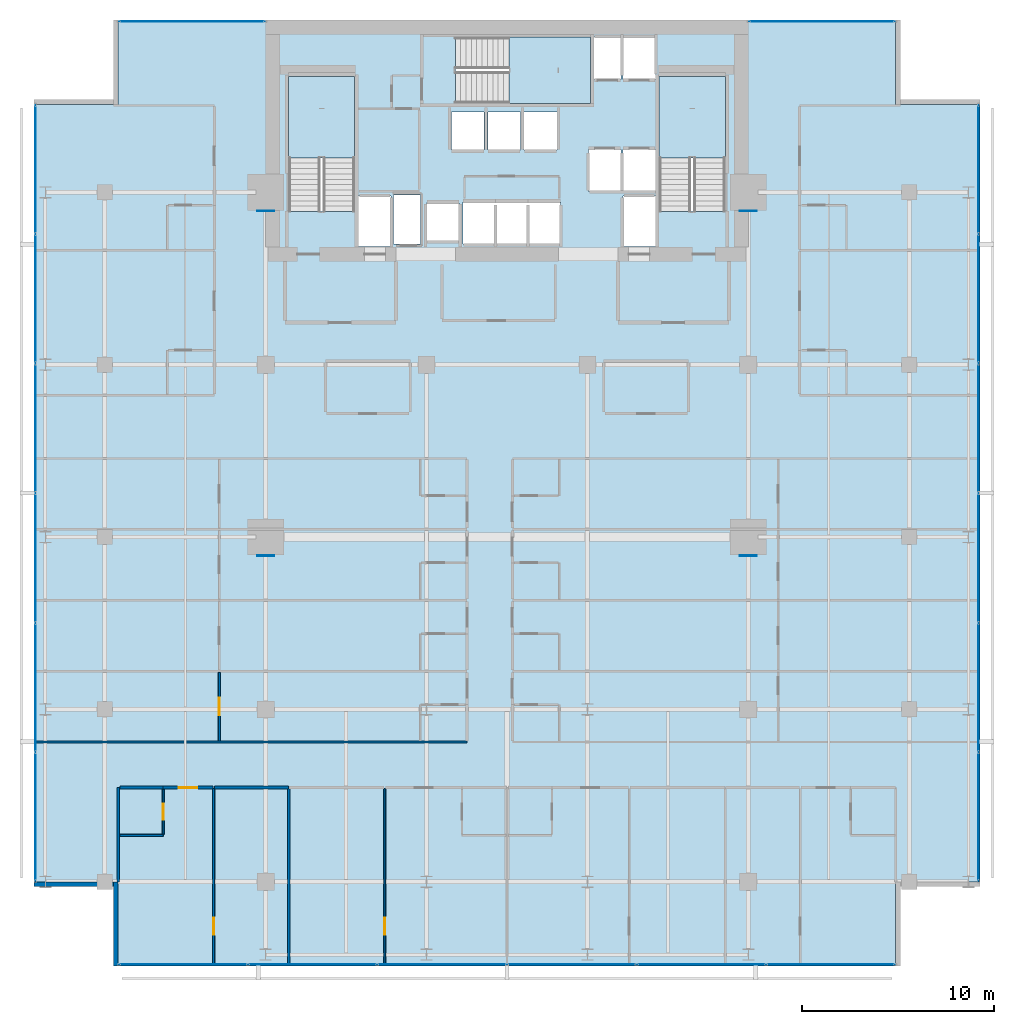
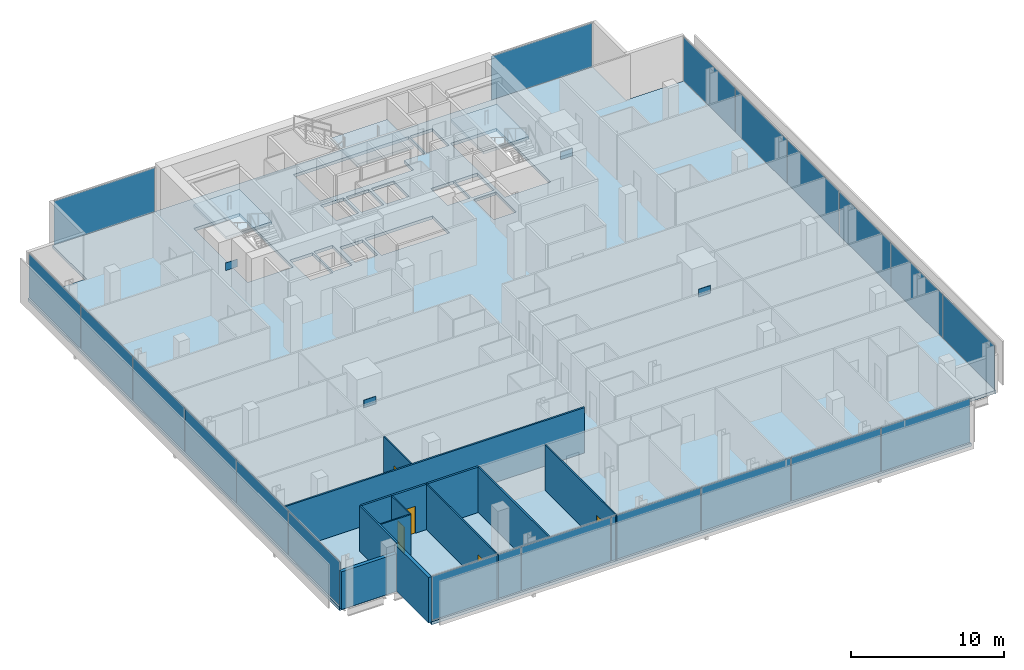
# One storey, part 26 of 34: 24 plates, 13 walls, 5 doors, 4 slabs, 5 openings, 8 elements without a shape of their own.
"""IFC4 building model written with IfcOpenShell, lengths in metres."""

from ifc_helpers import new_model, si_unit, direction, frame, frame_2d, origin, origin_2d, place, context, subcontext, project, spatial, polyline, rectangle, outline, extrude, material, layer, layer_set, type_object, element, fill, aggregate, save


model = new_model("IFC4")

# Units and contexts
model_context = context("Model", 3, precision=1e-05, world=origin(), true_north=direction((0.0, 1.0)))
body_context = subcontext(model_context, "Body", "Model", "MODEL_VIEW")
ifc_project = project(units=[si_unit("LENGTHUNIT", "METRE"), si_unit("AREAUNIT", "SQUARE_METRE"), si_unit("VOLUMEUNIT", "CUBIC_METRE"), si_unit("PLANEANGLEUNIT", "RADIAN"), si_unit("MASSUNIT", "GRAM", prefix="KILO")], contexts=[model_context])

# Site, building, storey
site_placement = place(None, origin())
site = spatial("IfcSite", under=ifc_project, at=site_placement, CompositionType="ELEMENT")
building_placement = place(site_placement, origin())
building = spatial("IfcBuilding", under=site, at=building_placement, Name="Maruvema Waterfront Hotel and Observation Tower", CompositionType="ELEMENT")
storey_placement = place(building_placement, frame((0.0, 0.0, 185.14990234375)))
storey = spatial("IfcBuildingStorey", under=building, at=storey_placement, Name="L45", CompositionType="ELEMENT", Elevation=185.14990234375)

# Slab
ifc_material_1 = material(Name="Concrete C50/60", Category="concrete")
ifc_layer_1 = layer(ifc_material_1, 0.239990234375, Name="Reinforced Concrete Floor Slab 240 mm")
ifc_layer_set_1 = layer_set([ifc_layer_1], Name="Concrete C50/60")
slab_type_1 = type_object("IfcSlabType", Name="Reinforced Concrete Floor Slab 240 mm", PredefinedType="FLOOR", material=ifc_layer_set_1)
slab_1_placement = place(storey_placement, frame((0.0, 0.0, -0.239990234375)))
element("IfcSlab", 1, at=slab_1_placement, inside=storey, type_object=slab_type_1, Name="L45 Structural Floor Slab", PredefinedType="FLOOR", context=body_context, shape_type="SweptSolid", body=[
    extrude(outline(polyline([(17.5, 4.60009765625), (58.10009765625, 4.60009765625), (58.10009765625, 9.0), (62.5, 9.0), (62.5, 49.60009765625), (58.10009765625, 49.60009765625), (58.10009765625, 54.0), (17.5, 54.0), (17.5, 49.60009765625), (13.10009765625, 49.60009765625), (13.10009765625, 9.0), (17.5, 9.0), (17.5, 4.60009765625)]), holes=[polyline([(26.39990234375, 44.00048828125), (26.39990234375, 51.050048828125), (29.85009765625, 51.050048828125), (29.85009765625, 44.00048828125), (26.39990234375, 44.00048828125)]), polyline([(30.050048828125, 44.800048828125), (31.75, 44.800048828125), (31.75, 42.169921875), (30.050048828125, 42.169921875), (30.050048828125, 44.800048828125)]), polyline([(31.8798828125, 44.860107421875), (33.280029296875, 44.860107421875), (33.280029296875, 42.2900390625), (31.8798828125, 42.2900390625), (31.8798828125, 44.860107421875)]), polyline([(33.60009765625, 44.449951171875), (35.300048828125, 44.449951171875), (35.300048828125, 42.449951171875), (33.60009765625, 42.449951171875), (33.60009765625, 44.449951171875)]), polyline([(34.89990234375, 49.199951171875), (36.60009765625, 49.199951171875), (36.60009765625, 47.199951171875), (34.89990234375, 47.199951171875), (34.89990234375, 49.199951171875)]), polyline([(36.800048828125, 49.199951171875), (38.5, 49.199951171875), (38.5, 47.199951171875), (36.800048828125, 47.199951171875), (36.800048828125, 49.199951171875)]), polyline([(35.5, 42.300048828125), (35.5, 44.5), (40.60009765625, 44.5), (40.60009765625, 42.300048828125), (35.5, 42.300048828125)]), polyline([(35.1005859375, 53.10009765625), (43.75, 53.10009765625), (43.75, 50.89990234375), (42.14990234375, 50.89990234375), (42.14990234375, 49.64990234375), (35.1005859375, 49.64990234375), (35.1005859375, 53.10009765625)]), polyline([(38.699951171875, 49.199951171875), (40.39990234375, 49.199951171875), (40.39990234375, 47.199951171875), (38.699951171875, 47.199951171875), (38.699951171875, 49.199951171875)]), polyline([(42.050048828125, 47.25), (43.75, 47.25), (43.75, 45.050048828125), (42.050048828125, 45.050048828125), (42.050048828125, 47.25)]), polyline([(43.85009765625, 44.800048828125), (45.550048828125, 44.800048828125), (45.550048828125, 42.169921875), (43.85009765625, 42.169921875), (43.85009765625, 44.800048828125)]), polyline([(43.85009765625, 47.25), (45.550048828125, 47.25), (45.550048828125, 45.050048828125), (43.85009765625, 45.050048828125), (43.85009765625, 47.25)]), polyline([(45.550048828125, 53.10009765625), (45.550048828125, 50.89990234375), (43.85009765625, 50.89990234375), (43.85009765625, 53.10009765625), (45.550048828125, 53.10009765625)]), polyline([(45.75, 44.00048828125), (45.75, 51.050048828125), (49.199951171875, 51.050048828125), (49.199951171875, 44.00048828125), (45.75, 44.00048828125)])]), origin(), (0.0, 0.0, 1.0), 0.239990234375),
])

# Curtain wall, plates
ifc_material_2 = material(Name="Anodised bronze aluminium and solar-control low-E IGU", Category="aluminium")
ifc_layer_2 = layer(ifc_material_2, 0.159912109375, Name="Zone 2 Amber Inner Thermal Curtain Wall System CW-03")
ifc_layer_set_2 = layer_set([ifc_layer_2], Name="Anodised bronze aluminium and solar-control low-E IGU")
curtain_wall_type = type_object("IfcCurtainWallType", Name="Zone 2 Amber Inner Thermal Curtain Wall System CW-03", PredefinedType="USERDEFINED", material=ifc_layer_set_2)
curtain_wall_1_placement = place(storey_placement, origin())
curtain_wall_1 = element("IfcCurtainWall", 2, at=curtain_wall_1_placement, inside=storey, type_object=curtain_wall_type, Name="L45 Curtain Wall CW-L45-S", ObjectType="UNITISED CURTAIN WALL", PredefinedType="USERDEFINED")
ifc_material_3 = material(Name="Laminated low-E solar-control double glazing", Category="glass")
ifc_layer_3 = layer(ifc_material_3, 0.035888671875, Name="Solar Control Double-Glazed Curtain Panel 36 mm")
ifc_layer_set_3 = layer_set([ifc_layer_3], Name="Laminated low-E solar-control double glazing")
plate_type_1 = type_object("IfcPlateType", Name="Solar Control Double-Glazed Curtain Panel 36 mm", PredefinedType="CURTAIN_PANEL", material=ifc_layer_set_3)
plate_1_placement = place(storey_placement, frame((20.8984375, 4.679931640625, 0.06005859375), z_axis=(0.0, 0.0, 1.0), x_axis=(1.0, 0.0, 0.0)))
plate_1 = element("IfcPlate", 3, at=plate_1_placement, type_object=plate_type_1, Name="CW-03 panel 1.1", PredefinedType="CURTAIN_PANEL", context=body_context, shape_type="SweptSolid", body=[
    extrude(rectangle(XDim=6.6767578125, YDim=0.028076171875, at=origin_2d()), origin(), (0.0, 0.0, 1.0), 3.489990234375),
])
plate_2_placement = place(storey_placement, frame((27.64990234375, 4.679931640625, 0.06005859375), z_axis=(0.0, 0.0, 1.0), x_axis=(1.0, 0.0, 0.0)))
plate_2 = element("IfcPlate", 4, at=plate_2_placement, type_object=plate_type_1, Name="CW-03 panel 2.1", PredefinedType="CURTAIN_PANEL", context=body_context, shape_type="SweptSolid", body=[
    extrude(rectangle(XDim=6.706787109375, YDim=0.028076171875, at=origin_2d()), origin(), (0.0, 0.0, 1.0), 3.489990234375),
])
plate_3_placement = place(storey_placement, frame((34.416748046875, 4.679931640625, 0.06005859375), z_axis=(0.0, 0.0, 1.0), x_axis=(1.0, 0.0, 0.0)))
plate_3 = element("IfcPlate", 5, at=plate_3_placement, type_object=plate_type_1, Name="CW-03 panel 3.1", PredefinedType="CURTAIN_PANEL", context=body_context, shape_type="SweptSolid", body=[
    extrude(rectangle(XDim=6.706787109375, YDim=0.028076171875, at=origin_2d()), origin(), (0.0, 0.0, 1.0), 3.489990234375),
])
plate_4_placement = place(storey_placement, frame((41.183349609375, 4.679931640625, 0.06005859375), z_axis=(0.0, 0.0, 1.0), x_axis=(1.0, 0.0, 0.0)))
plate_4 = element("IfcPlate", 6, at=plate_4_placement, type_object=plate_type_1, Name="CW-03 panel 4.1", PredefinedType="CURTAIN_PANEL", context=body_context, shape_type="SweptSolid", body=[
    extrude(rectangle(XDim=6.706787109375, YDim=0.028076171875, at=origin_2d()), origin(), (0.0, 0.0, 1.0), 3.489990234375),
])
plate_5_placement = place(storey_placement, frame((47.949951171875, 4.679931640625, 0.06005859375), z_axis=(0.0, 0.0, 1.0), x_axis=(1.0, 0.0, 0.0)))
plate_5 = element("IfcPlate", 7, at=plate_5_placement, type_object=plate_type_1, Name="CW-03 panel 5.1", PredefinedType="CURTAIN_PANEL", context=body_context, shape_type="SweptSolid", body=[
    extrude(rectangle(XDim=6.706787109375, YDim=0.028076171875, at=origin_2d()), origin(), (0.0, 0.0, 1.0), 3.489990234375),
])
plate_6_placement = place(storey_placement, frame((54.70166015625, 4.679931640625, 0.06005859375), z_axis=(0.0, 0.0, 1.0), x_axis=(1.0, 0.0, 0.0)))
plate_6 = element("IfcPlate", 8, at=plate_6_placement, type_object=plate_type_1, Name="CW-03 panel 6.1", PredefinedType="CURTAIN_PANEL", context=body_context, shape_type="SweptSolid", body=[
    extrude(rectangle(XDim=6.6767578125, YDim=0.028076171875, at=origin_2d()), origin(), (0.0, 0.0, 1.0), 3.489990234375),
])
aggregate(curtain_wall_1, [plate_1, plate_2, plate_3, plate_4, plate_5, plate_6])

curtain_wall_2_placement = place(storey_placement, origin())
curtain_wall_2 = element("IfcCurtainWall", 9, at=curtain_wall_2_placement, inside=storey, type_object=curtain_wall_type, Name="L45 Curtain Wall CW-L45-E", ObjectType="UNITISED CURTAIN WALL", PredefinedType="USERDEFINED")
plate_7_placement = place(storey_placement, frame((62.419921875, 12.3984375, 0.06005859375), z_axis=(0.0, 0.0, 1.0), x_axis=(0.0, 1.0, 0.0)))
plate_7 = element("IfcPlate", 10, at=plate_7_placement, type_object=plate_type_1, Name="CW-03 panel 1.1", PredefinedType="CURTAIN_PANEL", context=body_context, shape_type="SweptSolid", body=[
    extrude(rectangle(XDim=6.6767578125, YDim=0.028076171875, at=origin_2d()), origin(), (0.0, 0.0, 1.0), 3.489990234375),
])
plate_8_placement = place(storey_placement, frame((62.419921875, 19.14990234375, 0.06005859375), z_axis=(0.0, 0.0, 1.0), x_axis=(0.0, 1.0, 0.0)))
plate_8 = element("IfcPlate", 11, at=plate_8_placement, type_object=plate_type_1, Name="CW-03 panel 2.1", PredefinedType="CURTAIN_PANEL", context=body_context, shape_type="SweptSolid", body=[
    extrude(rectangle(XDim=6.706787109375, YDim=0.028076171875, at=origin_2d()), origin(), (0.0, 0.0, 1.0), 3.489990234375),
])
plate_9_placement = place(storey_placement, frame((62.419921875, 25.916748046875, 0.06005859375), z_axis=(0.0, 0.0, 1.0), x_axis=(0.0, 1.0, 0.0)))
plate_9 = element("IfcPlate", 12, at=plate_9_placement, type_object=plate_type_1, Name="CW-03 panel 3.1", PredefinedType="CURTAIN_PANEL", context=body_context, shape_type="SweptSolid", body=[
    extrude(rectangle(XDim=6.706787109375, YDim=0.028076171875, at=origin_2d()), origin(), (0.0, 0.0, 1.0), 3.489990234375),
])
plate_10_placement = place(storey_placement, frame((62.419921875, 32.683349609375, 0.06005859375), z_axis=(0.0, 0.0, 1.0), x_axis=(0.0, 1.0, 0.0)))
plate_10 = element("IfcPlate", 13, at=plate_10_placement, type_object=plate_type_1, Name="CW-03 panel 4.1", PredefinedType="CURTAIN_PANEL", context=body_context, shape_type="SweptSolid", body=[
    extrude(rectangle(XDim=6.706787109375, YDim=0.028076171875, at=origin_2d()), origin(), (0.0, 0.0, 1.0), 3.489990234375),
])
plate_11_placement = place(storey_placement, frame((62.419921875, 39.449951171875, 0.06005859375), z_axis=(0.0, 0.0, 1.0), x_axis=(0.0, 1.0, 0.0)))
plate_11 = element("IfcPlate", 14, at=plate_11_placement, type_object=plate_type_1, Name="CW-03 panel 5.1", PredefinedType="CURTAIN_PANEL", context=body_context, shape_type="SweptSolid", body=[
    extrude(rectangle(XDim=6.706787109375, YDim=0.028076171875, at=origin_2d()), origin(), (0.0, 0.0, 1.0), 3.489990234375),
])
plate_12_placement = place(storey_placement, frame((62.419921875, 46.20166015625, 0.06005859375), z_axis=(0.0, 0.0, 1.0), x_axis=(0.0, 1.0, 0.0)))
plate_12 = element("IfcPlate", 15, at=plate_12_placement, type_object=plate_type_1, Name="CW-03 panel 6.1", PredefinedType="CURTAIN_PANEL", context=body_context, shape_type="SweptSolid", body=[
    extrude(rectangle(XDim=6.6767578125, YDim=0.028076171875, at=origin_2d()), origin(), (0.0, 0.0, 1.0), 3.489990234375),
])
aggregate(curtain_wall_2, [plate_7, plate_8, plate_9, plate_10, plate_11, plate_12])

curtain_wall_3_placement = place(storey_placement, origin())
curtain_wall_3 = element("IfcCurtainWall", 16, at=curtain_wall_3_placement, inside=storey, type_object=curtain_wall_type, Name="L45 Curtain Wall CW-L45-W", ObjectType="UNITISED CURTAIN WALL", PredefinedType="USERDEFINED")
plate_13_placement = place(storey_placement, frame((13.179931640625, 46.20166015625, 0.06005859375), z_axis=(0.0, 0.0, 1.0), x_axis=(0.0, -1.0, 0.0)))
plate_13 = element("IfcPlate", 17, at=plate_13_placement, type_object=plate_type_1, Name="CW-03 panel 1.1", PredefinedType="CURTAIN_PANEL", context=body_context, shape_type="SweptSolid", body=[
    extrude(rectangle(XDim=6.6767578125, YDim=0.028076171875, at=origin_2d()), origin(), (0.0, 0.0, 1.0), 3.489990234375),
])
plate_14_placement = place(storey_placement, frame((13.179931640625, 39.449951171875, 0.06005859375), z_axis=(0.0, 0.0, 1.0), x_axis=(0.0, -1.0, 0.0)))
plate_14 = element("IfcPlate", 18, at=plate_14_placement, type_object=plate_type_1, Name="CW-03 panel 2.1", PredefinedType="CURTAIN_PANEL", context=body_context, shape_type="SweptSolid", body=[
    extrude(rectangle(XDim=6.706787109375, YDim=0.028076171875, at=origin_2d()), origin(), (0.0, 0.0, 1.0), 3.489990234375),
])
plate_15_placement = place(storey_placement, frame((13.179931640625, 32.683349609375, 0.06005859375), z_axis=(0.0, 0.0, 1.0), x_axis=(0.0, -1.0, 0.0)))
plate_15 = element("IfcPlate", 19, at=plate_15_placement, type_object=plate_type_1, Name="CW-03 panel 3.1", PredefinedType="CURTAIN_PANEL", context=body_context, shape_type="SweptSolid", body=[
    extrude(rectangle(XDim=6.706787109375, YDim=0.028076171875, at=origin_2d()), origin(), (0.0, 0.0, 1.0), 3.489990234375),
])
plate_16_placement = place(storey_placement, frame((13.179931640625, 25.916748046875, 0.06005859375), z_axis=(0.0, 0.0, 1.0), x_axis=(0.0, -1.0, 0.0)))
plate_16 = element("IfcPlate", 20, at=plate_16_placement, type_object=plate_type_1, Name="CW-03 panel 4.1", PredefinedType="CURTAIN_PANEL", context=body_context, shape_type="SweptSolid", body=[
    extrude(rectangle(XDim=6.706787109375, YDim=0.028076171875, at=origin_2d()), origin(), (0.0, 0.0, 1.0), 3.489990234375),
])
plate_17_placement = place(storey_placement, frame((13.179931640625, 19.14990234375, 0.06005859375), z_axis=(0.0, 0.0, 1.0), x_axis=(0.0, -1.0, 0.0)))
plate_17 = element("IfcPlate", 21, at=plate_17_placement, type_object=plate_type_1, Name="CW-03 panel 5.1", PredefinedType="CURTAIN_PANEL", context=body_context, shape_type="SweptSolid", body=[
    extrude(rectangle(XDim=6.706787109375, YDim=0.028076171875, at=origin_2d()), origin(), (0.0, 0.0, 1.0), 3.489990234375),
])
plate_18_placement = place(storey_placement, frame((13.179931640625, 12.3984375, 0.06005859375), z_axis=(0.0, 0.0, 1.0), x_axis=(0.0, -1.0, 0.0)))
plate_18 = element("IfcPlate", 22, at=plate_18_placement, type_object=plate_type_1, Name="CW-03 panel 6.1", PredefinedType="CURTAIN_PANEL", context=body_context, shape_type="SweptSolid", body=[
    extrude(rectangle(XDim=6.6767578125, YDim=0.028076171875, at=origin_2d()), origin(), (0.0, 0.0, 1.0), 3.489990234375),
])
aggregate(curtain_wall_3, [plate_13, plate_14, plate_15, plate_16, plate_17, plate_18])

# Curtain wall, plate
curtain_wall_4_placement = place(storey_placement, origin())
curtain_wall_4 = element("IfcCurtainWall", 23, at=curtain_wall_4_placement, inside=storey, type_object=curtain_wall_type, Name="L45 Curtain Wall CW-L45-NW", ObjectType="UNITISED CURTAIN WALL", PredefinedType="USERDEFINED")
plate_19_placement = place(storey_placement, frame((21.35009765625, 53.919921875, 0.06005859375), z_axis=(0.0, 0.0, 1.0), x_axis=(-1.0, 0.0, 0.0)))
plate_19 = element("IfcPlate", 24, at=plate_19_placement, type_object=plate_type_1, Name="CW-03 panel 1.1", PredefinedType="CURTAIN_PANEL", context=body_context, shape_type="SweptSolid", body=[
    extrude(rectangle(XDim=7.580078125, YDim=0.028076171875, at=origin_2d()), origin(), (0.0, 0.0, 1.0), 3.489990234375),
])
aggregate(curtain_wall_4, [plate_19])

curtain_wall_5_placement = place(storey_placement, origin())
curtain_wall_5 = element("IfcCurtainWall", 25, at=curtain_wall_5_placement, inside=storey, type_object=curtain_wall_type, Name="L45 Curtain Wall CW-L45-NE", ObjectType="UNITISED CURTAIN WALL", PredefinedType="USERDEFINED")
plate_20_placement = place(storey_placement, frame((54.25, 53.919921875, 0.06005859375), z_axis=(0.0, 0.0, 1.0), x_axis=(-1.0, 0.0, 0.0)))
plate_20 = element("IfcPlate", 26, at=plate_20_placement, type_object=plate_type_1, Name="CW-03 panel 1.1", PredefinedType="CURTAIN_PANEL", context=body_context, shape_type="SweptSolid", body=[
    extrude(rectangle(XDim=7.580078125, YDim=0.028076171875, at=origin_2d()), origin(), (0.0, 0.0, 1.0), 3.489990234375),
])
aggregate(curtain_wall_5, [plate_20])

# Stair, slab
ifc_material_4 = material(Name="Concrete C50/60", Category="concrete")
stair_type = type_object("IfcStairType", Name="Dogleg Exit Stair 1650 mm (22R x 175.0 mm)", PredefinedType="HALF_TURN_STAIR", material=ifc_material_4)
stair_1_placement = place(storey_placement, origin())
stair_1 = element("IfcStair", 27, at=stair_1_placement, inside=storey, type_object=stair_type, Name="L45 ST-01", PredefinedType="HALF_TURN_STAIR")
ifc_material_5 = material(Name="Concrete C50/60", Category="concrete")
ifc_layer_4 = layer(ifc_material_5, 0.219970703125, Name="Stair Concrete Landing Slab 220 mm")
ifc_layer_set_4 = layer_set([ifc_layer_4], Name="Concrete C50/60")
slab_type_2 = type_object("IfcSlabType", Name="Stair Concrete Landing Slab 220 mm", PredefinedType="LANDING", material=ifc_layer_set_4)
slab_2_placement = place(storey_placement, frame((0.0, 0.0, 1.705078125)))
slab_2 = element("IfcSlab", 28, at=slab_2_placement, type_object=slab_type_2, Name="ST-01 landing 1", PredefinedType="LANDING", context=body_context, shape_type="SweptSolid", body=[
    extrude(outline(polyline([(29.85009765625, 46.800048828125), (29.85009765625, 51.050048828125), (26.39990234375, 51.050048828125), (26.39990234375, 46.800048828125), (29.85009765625, 46.800048828125)])), origin(), (0.0, 0.0, 1.0), 0.219970703125),
])
aggregate(stair_1, [slab_2])

stair_2_placement = place(storey_placement, origin())
stair_2 = element("IfcStair", 29, at=stair_2_placement, inside=storey, type_object=stair_type, Name="L45 ST-02", PredefinedType="HALF_TURN_STAIR")
slab_3_placement = place(storey_placement, frame((0.0, 0.0, 1.705078125)))
slab_3 = element("IfcSlab", 30, at=slab_3_placement, type_object=slab_type_2, Name="ST-02 landing 1", PredefinedType="LANDING", context=body_context, shape_type="SweptSolid", body=[
    extrude(outline(polyline([(37.89990234375, 49.64990234375), (42.14990234375, 49.64990234375), (42.14990234375, 53.10009765625), (37.89990234375, 53.10009765625), (37.89990234375, 49.64990234375)])), origin(), (0.0, 0.0, 1.0), 0.219970703125),
])
aggregate(stair_2, [slab_3])

stair_3_placement = place(storey_placement, origin())
stair_3 = element("IfcStair", 31, at=stair_3_placement, inside=storey, type_object=stair_type, Name="L45 ST-03", PredefinedType="HALF_TURN_STAIR")
slab_4_placement = place(storey_placement, frame((0.0, 0.0, 1.705078125)))
slab_4 = element("IfcSlab", 32, at=slab_4_placement, type_object=slab_type_2, Name="ST-03 landing 1", PredefinedType="LANDING", context=body_context, shape_type="SweptSolid", body=[
    extrude(outline(polyline([(49.199951171875, 46.800048828125), (49.199951171875, 51.050048828125), (45.75, 51.050048828125), (45.75, 46.800048828125), (49.199951171875, 46.800048828125)])), origin(), (0.0, 0.0, 1.0), 0.219970703125),
])
aggregate(stair_3, [slab_4])

# Plates
ifc_material_6 = material(Name="Steel ABNT NBR 7007 AR 415 (ASTM A572 Grade 50)", Category="steel")
ifc_layer_5 = layer(ifc_material_6, 0.0400390625, Name="Structural Truss Node Gusset Plate 40 mm")
ifc_layer_set_5 = layer_set([ifc_layer_5], Name="Steel ABNT NBR 7007 AR 415 (ASTM A572 Grade 50)")
plate_type_2 = type_object("IfcPlateType", Name="Structural Truss Node Gusset Plate 40 mm", PredefinedType="USERDEFINED", material=ifc_layer_set_5)
for number, where, z_axis, x_axis, name in (
    (33, (25.199951171875, 26.030029296875, 1.5), (0.0, 0.0, 1.0), (1.0, 0.0, 0.0), "L45 MC-01 Moment Frame Continuity Gusset Plate"),
    (34, (50.39990234375, 26.030029296875, 1.5), (0.0, 0.0, 1.0), (1.0, 0.0, 0.0), "L45 MC-02 Moment Frame Continuity Gusset Plate"),
    (35, (25.199951171875, 44.030029296875, 1.5), (0.0, 0.0, 1.0), (1.0, 0.0, 0.0), "L45 MC-03 Moment Frame Continuity Gusset Plate"),
    (36, (50.39990234375, 44.030029296875, 1.5), (0.0, 0.0, 1.0), (1.0, 0.0, 0.0), "L45 MC-04 Moment Frame Continuity Gusset Plate"),
):
    element("IfcPlate", number, at=place(storey_placement, frame(where, z_axis=z_axis, x_axis=x_axis)), inside=storey, type_object=plate_type_2, Name=name, ObjectType="GUSSET_PLATE", PredefinedType="USERDEFINED", context=body_context, shape_type="SweptSolid", body=[
        extrude(rectangle(XDim=0.89990234375, YDim=0.0400390625, at=origin_2d()), origin(), (0.0, 0.0, 1.0), 0.60009765625),
    ])

# Wall
ifc_material_7 = material(Name="Twin-stud acoustic gypsum drywall", Category="gypsum")
ifc_layer_6 = layer(ifc_material_7, 0.14990234375, Name="Acoustic Corridor and Suite Demising Wall 150 mm")
ifc_layer_set_6 = layer_set([ifc_layer_6], Name="Twin-stud acoustic gypsum drywall")
wall_type_1 = type_object("IfcWallType", Name="Acoustic Corridor and Suite Demising Wall 150 mm", PredefinedType="PARTITIONING", material=ifc_layer_set_6)
wall_1_placement = place(storey_placement, frame((17.580078125, 13.919921875, 0.0), z_axis=(0.0, 0.0, 1.0), x_axis=(1.0, 0.0, 0.0)))
element("IfcWall", 37, at=wall_1_placement, inside=storey, type_object=wall_type_1, Name="L45 Bath L45-S1 Back Wall 031", PredefinedType="PARTITIONING", context=body_context, shape_type="SweptSolid", body=[
    extrude(rectangle(XDim=2.27001953125, YDim=0.14990234375, at=frame_2d((1.135009765625, 0.0))), origin(), (0.0, 0.0, 1.0), 3.610107421875),
])

# Wall, opening, door
wall_2_placement = place(storey_placement, frame((19.85009765625, 13.919921875, 0.0), z_axis=(0.0, 0.0, 1.0), x_axis=(1.0, 0.0, 0.0)))
wall_2 = element("IfcWall", 38, at=wall_2_placement, inside=storey, type_object=wall_type_1, Name="L45 Unit L45-S1 Corridor Wall 034", PredefinedType="PARTITIONING", context=body_context, shape_type="SweptSolid", body=[
    extrude(rectangle(XDim=2.593994140625, YDim=0.14990234375, at=frame_2d((1.296875, 0.0))), origin(), (0.0, 0.0, 1.0), 3.610107421875),
])
opening_1_placement = place(wall_2_placement, frame((0.822021484375, 0.0, 0.0)))
opening_1 = element("IfcOpeningElement", 39, at=opening_1_placement, cuts=wall_2, Name="Opening DR-095", PredefinedType="OPENING", context=body_context, shape_type="SweptSolid", body=[
    extrude(rectangle(XDim=0.949951171875, YDim=2.14990234375, at=frame_2d((0.47509765625, 1.074951171875))), frame((0.0, 0.0849609375, 0.0), z_axis=(0.0, -1.0, 0.0), x_axis=(1.0, 0.0, 0.0)), (0.0, 0.0, 1.0), 0.169921875),
])
ifc_material_8 = material(Name="Acoustic solid-core hardwood timber leaf", Category="wood")
door_type_1 = type_object("IfcDoorType", Name="Guestroom Entrance Fire Door 950x2150 mm", OperationType="NOTDEFINED", PredefinedType="DOOR", material=ifc_material_8)
door_1_placement = place(opening_1_placement, frame((0.949951171875, 0.0, 0.0), z_axis=(0.0, 0.0, 1.0), x_axis=(-1.0, 0.0, 0.0)))
door_1 = element("IfcDoor", 40, at=door_1_placement, inside=storey, type_object=door_type_1, Name="L45 Unit L45-S1 Entrance Door", OperationType="SINGLE_SWING_RIGHT", OverallHeight=2.14990234375, OverallWidth=0.949951171875, PredefinedType="DOOR", context=body_context, shape_type="SweptSolid", body=[
    extrude(rectangle(XDim=0.949951171875, YDim=2.14990234375, at=frame_2d((0.47509765625, 1.074951171875))), frame((0.0, 0.02490234375, 0.0), z_axis=(0.0, -1.0, 0.0), x_axis=(1.0, 0.0, 0.0)), (0.0, 0.0, 1.0), 0.050048828125),
])
fill(opening_1, door_1)

# Walls
wall_3_placement = place(storey_placement, frame((22.52392578125, 13.919921875, 0.0), z_axis=(0.0, 0.0, 1.0), x_axis=(1.0, 0.0, 0.0)))
element("IfcWall", 41, at=wall_3_placement, inside=storey, type_object=wall_type_1, Name="L45 Bedroom L45-S1 Back Wall 035", PredefinedType="PARTITIONING", context=body_context, shape_type="SweptSolid", body=[
    extrude(rectangle(XDim=3.85595703125, YDim=0.14990234375, at=frame_2d((1.927978515625, 0.0))), origin(), (0.0, 0.0, 1.0), 3.610107421875),
])
ifc_material_9 = material(Name="Moisture-resistant cement-board drywall", Category="gypsum")
ifc_layer_7 = layer(ifc_material_9, 0.10009765625, Name="En-Suite Moisture-Resistant Partition 100 mm")
ifc_layer_set_7 = layer_set([ifc_layer_7], Name="Moisture-resistant cement-board drywall")
wall_type_2 = type_object("IfcWallType", Name="En-Suite Moisture-Resistant Partition 100 mm", PredefinedType="PARTITIONING", material=ifc_layer_set_7)
wall_4_placement = place(storey_placement, frame((17.580078125, 11.419921875, 0.0), z_axis=(0.0, 0.0, 1.0), x_axis=(1.0, 0.0, 0.0)))
element("IfcWall", 42, at=wall_4_placement, inside=storey, type_object=wall_type_2, Name="L45 En-Suite L45-S1 South 032", PredefinedType="PARTITIONING", context=body_context, shape_type="SweptSolid", body=[
    extrude(rectangle(XDim=2.27001953125, YDim=0.10009765625, at=frame_2d((1.135009765625, 0.0))), origin(), (0.0, 0.0, 1.0), 3.610107421875),
])

# Wall, opening, door
wall_5_placement = place(storey_placement, frame((19.85009765625, 11.47998046875, 0.0), z_axis=(0.0, 0.0, 1.0), x_axis=(0.0, 1.0, 0.0)))
wall_5 = element("IfcWall", 43, at=wall_5_placement, inside=storey, type_object=wall_type_2, Name="L45 En-Suite L45-S1 East 033", PredefinedType="PARTITIONING", context=body_context, shape_type="SweptSolid", body=[
    extrude(rectangle(XDim=2.340087890625, YDim=0.10009765625, at=frame_2d((1.169921875, 0.0))), origin(), (0.0, 0.0, 1.0), 3.610107421875),
])
opening_2_placement = place(wall_5_placement, frame((0.7451171875, 0.0, 0.0)))
opening_2 = element("IfcOpeningElement", 44, at=opening_2_placement, cuts=wall_5, Name="Opening DR-085", PredefinedType="OPENING", context=body_context, shape_type="SweptSolid", body=[
    extrude(rectangle(XDim=0.85009765625, YDim=2.10009765625, at=frame_2d((0.425048828125, 1.050048828125))), frame((0.0, 0.06005859375, 0.0), z_axis=(0.0, -1.0, 0.0), x_axis=(1.0, 0.0, 0.0)), (0.0, 0.0, 1.0), 0.1201171875),
])
ifc_material_10 = material(Name="Moisture-resistant solid timber leaf", Category="wood")
door_type_2 = type_object("IfcDoorType", Name="En-Suite Bathroom Door 850x2100 mm", OperationType="NOTDEFINED", PredefinedType="DOOR", material=ifc_material_10)
door_2_placement = place(opening_2_placement, frame((0.85009765625, 0.0, 0.0), z_axis=(0.0, 0.0, 1.0), x_axis=(-1.0, 0.0, 0.0)))
door_2 = element("IfcDoor", 45, at=door_2_placement, inside=storey, type_object=door_type_2, Name="L45 En-Suite L45-S1 Door", OperationType="SINGLE_SWING_LEFT", OverallHeight=2.10009765625, OverallWidth=0.85009765625, PredefinedType="DOOR", context=body_context, shape_type="SweptSolid", body=[
    extrude(rectangle(XDim=0.85009765625, YDim=2.10009765625, at=frame_2d((0.425048828125, 1.050048828125))), frame((0.0, 0.02490234375, 0.0), z_axis=(0.0, -1.0, 0.0), x_axis=(1.0, 0.0, 0.0)), (0.0, 0.0, 1.0), 0.050048828125),
])
fill(opening_2, door_2)

wall_6_placement = place(storey_placement, frame((22.48388671875, 4.6298828125, 0.0), z_axis=(0.0, 0.0, 1.0), x_axis=(0.0, 1.0, 0.0)))
wall_6 = element("IfcWall", 46, at=wall_6_placement, inside=storey, type_object=wall_type_2, Name="L45 Suite L45-S1 Split 036", PredefinedType="PARTITIONING", context=body_context, shape_type="SweptSolid", body=[
    extrude(rectangle(XDim=9.230224609375, YDim=0.10009765625, at=frame_2d((4.615234375, 0.0))), origin(), (0.0, 0.0, 1.0), 3.610107421875),
])
opening_3_placement = place(wall_6_placement, frame((1.60009765625, 0.0, 0.0)))
opening_3 = element("IfcOpeningElement", 47, at=opening_3_placement, cuts=wall_6, Name="Opening DR-090", PredefinedType="OPENING", context=body_context, shape_type="SweptSolid", body=[
    extrude(rectangle(XDim=0.89990234375, YDim=2.10009765625, at=frame_2d((0.449951171875, 1.050048828125))), frame((0.0, 0.06005859375, 0.0), z_axis=(0.0, -1.0, 0.0), x_axis=(1.0, 0.0, 0.0)), (0.0, 0.0, 1.0), 0.1201171875),
])
ifc_material_11 = material(Name="Solid-core lacquered timber leaf", Category="wood")
door_type_3 = type_object("IfcDoorType", Name="Accessible Toilet and Room Door 900x2100 mm", OperationType="NOTDEFINED", PredefinedType="DOOR", material=ifc_material_11)
door_3_placement = place(opening_3_placement, origin())
door_3 = element("IfcDoor", 48, at=door_3_placement, inside=storey, type_object=door_type_3, Name="L45 Suite L45-S1 Bedroom Door", OperationType="SINGLE_SWING_LEFT", OverallHeight=2.10009765625, OverallWidth=0.89990234375, PredefinedType="DOOR", context=body_context, shape_type="SweptSolid", body=[
    extrude(rectangle(XDim=0.89990234375, YDim=2.10009765625, at=frame_2d((0.449951171875, 1.050048828125))), frame((0.0, 0.02490234375, 0.0), z_axis=(0.0, -1.0, 0.0), x_axis=(1.0, 0.0, 0.0)), (0.0, 0.0, 1.0), 0.050048828125),
])
fill(opening_3, door_3)

wall_7_placement = place(storey_placement, frame((31.416015625, 4.6298828125, 0.0), z_axis=(0.0, 0.0, 1.0), x_axis=(0.0, 1.0, 0.0)))
wall_7 = element("IfcWall", 49, at=wall_7_placement, inside=storey, type_object=wall_type_2, Name="L45 Suite L45-S2 Split 043", PredefinedType="PARTITIONING", context=body_context, shape_type="SweptSolid", body=[
    extrude(rectangle(XDim=9.230224609375, YDim=0.10009765625, at=frame_2d((4.615234375, 0.0))), origin(), (0.0, 0.0, 1.0), 3.610107421875),
])
opening_4_placement = place(wall_7_placement, frame((1.60009765625, 0.0, 0.0)))
opening_4 = element("IfcOpeningElement", 50, at=opening_4_placement, cuts=wall_7, Name="Opening DR-090", PredefinedType="OPENING", context=body_context, shape_type="SweptSolid", body=[
    extrude(rectangle(XDim=0.89990234375, YDim=2.10009765625, at=frame_2d((0.449951171875, 1.050048828125))), frame((0.0, 0.06005859375, 0.0), z_axis=(0.0, -1.0, 0.0), x_axis=(1.0, 0.0, 0.0)), (0.0, 0.0, 1.0), 0.1201171875),
])
door_4_placement = place(opening_4_placement, frame((0.89990234375, 0.0, 0.0), z_axis=(0.0, 0.0, 1.0), x_axis=(-1.0, 0.0, 0.0)))
door_4 = element("IfcDoor", 51, at=door_4_placement, inside=storey, type_object=door_type_3, Name="L45 Suite L45-S2 Bedroom Door", OperationType="SINGLE_SWING_RIGHT", OverallHeight=2.10009765625, OverallWidth=0.89990234375, PredefinedType="DOOR", context=body_context, shape_type="SweptSolid", body=[
    extrude(rectangle(XDim=0.89990234375, YDim=2.10009765625, at=frame_2d((0.449951171875, 1.050048828125))), frame((0.0, 0.02490234375, 0.0), z_axis=(0.0, -1.0, 0.0), x_axis=(1.0, 0.0, 0.0)), (0.0, 0.0, 1.0), 0.050048828125),
])
fill(opening_4, door_4)

wall_8_placement = place(storey_placement, frame((22.781494140625, 16.360107421875, 0.0), z_axis=(0.0, 0.0, 1.0), x_axis=(0.0, 1.0, 0.0)))
wall_8 = element("IfcWall", 52, at=wall_8_placement, inside=storey, type_object=wall_type_2, Name="L45 Suite L45-W1 Split 066", PredefinedType="PARTITIONING", context=body_context, shape_type="SweptSolid", body=[
    extrude(rectangle(XDim=3.579833984375, YDim=0.10009765625, at=frame_2d((1.7900390625, 0.0))), origin(), (0.0, 0.0, 1.0), 3.610107421875),
])
opening_5_placement = place(wall_8_placement, frame((1.340087890625, 0.0, 0.0)))
opening_5 = element("IfcOpeningElement", 53, at=opening_5_placement, cuts=wall_8, Name="Opening DR-090", PredefinedType="OPENING", context=body_context, shape_type="SweptSolid", body=[
    extrude(rectangle(XDim=0.89990234375, YDim=2.10009765625, at=frame_2d((0.449951171875, 1.050048828125))), frame((0.0, 0.06005859375, 0.0), z_axis=(0.0, -1.0, 0.0), x_axis=(1.0, 0.0, 0.0)), (0.0, 0.0, 1.0), 0.1201171875),
])
door_5_placement = place(opening_5_placement, origin())
door_5 = element("IfcDoor", 54, at=door_5_placement, inside=storey, type_object=door_type_3, Name="L45 Suite L45-W1 Bedroom Door", OperationType="SINGLE_SWING_LEFT", OverallHeight=2.10009765625, OverallWidth=0.89990234375, PredefinedType="DOOR", context=body_context, shape_type="SweptSolid", body=[
    extrude(rectangle(XDim=0.89990234375, YDim=2.10009765625, at=frame_2d((0.449951171875, 1.050048828125))), frame((0.0, 0.02490234375, 0.0), z_axis=(0.0, -1.0, 0.0), x_axis=(1.0, 0.0, 0.0)), (0.0, 0.0, 1.0), 0.050048828125),
])
fill(opening_5, door_5)

# Walls
ifc_material_12 = material(Name="Precast concrete C45/55 with honed Pernambuco granite facing", Category="masonry")
ifc_layer_8 = layer(ifc_material_12, 0.260009765625, Name="Exterior Granite Clad Spandrel and Pier Wall 260 mm")
ifc_layer_set_8 = layer_set([ifc_layer_8], Name="Precast concrete C45/55 with honed Pernambuco granite facing")
wall_type_3 = type_object("IfcWallType", Name="Exterior Granite Clad Spandrel and Pier Wall 260 mm", PredefinedType="SOLIDWALL", material=ifc_layer_set_8)
wall_9_placement = place(storey_placement, frame((17.3701171875, 4.60009765625, 0.0), z_axis=(0.0, 0.0, 1.0), x_axis=(0.0, 1.0, 0.0)))
element("IfcWall", 55, at=wall_9_placement, inside=storey, type_object=wall_type_3, Name="L45 Corner Notch Granite Pier Wall SW1", PredefinedType="SOLIDWALL", context=body_context, shape_type="SweptSolid", body=[
    extrude(rectangle(XDim=4.39990234375, YDim=0.260009765625, at=frame_2d((2.199951171875, 0.0))), origin(), (0.0, 0.0, 1.0), 3.610107421875),
])
wall_10_placement = place(storey_placement, frame((17.5, 8.8701171875, 0.0), z_axis=(0.0, 0.0, 1.0), x_axis=(-1.0, 0.0, 0.0)))
element("IfcWall", 56, at=wall_10_placement, inside=storey, type_object=wall_type_3, Name="L45 Corner Notch Granite Pier Wall SW2", PredefinedType="SOLIDWALL", context=body_context, shape_type="SweptSolid", body=[
    extrude(rectangle(XDim=4.39990234375, YDim=0.260009765625, at=frame_2d((2.199951171875, 0.0))), origin(), (0.0, 0.0, 1.0), 3.007080078125),
])
ifc_material_13 = material(Name="Acoustic gypsum plasterboard drywall", Category="gypsum")
ifc_layer_9 = layer(ifc_material_13, 0.125, Name="Guestroom Acoustic Demising Wall 125 mm")
ifc_layer_set_9 = layer_set([ifc_layer_9], Name="Acoustic gypsum plasterboard drywall")
wall_type_4 = type_object("IfcWallType", Name="Guestroom Acoustic Demising Wall 125 mm", PredefinedType="PARTITIONING", material=ifc_layer_set_9)
wall_11_placement = place(storey_placement, frame((17.5, 9.0, 0.0), z_axis=(0.0, 0.0, 1.0), x_axis=(0.0, 1.0, 0.0)))
element("IfcWall", 57, at=wall_11_placement, inside=storey, type_object=wall_type_4, Name="L45 Z2 S West End 029", PredefinedType="PARTITIONING", context=body_context, shape_type="SweptSolid", body=[
    extrude(rectangle(XDim=4.919921875, YDim=0.125, at=frame_2d((2.4599609375, 0.0))), origin(), (0.0, 0.0, 1.0), 3.610107421875),
])
wall_12_placement = place(storey_placement, frame((26.39990234375, 4.699951171875, 0.0), z_axis=(0.0, 0.0, 1.0), x_axis=(0.0, 1.0, 0.0)))
element("IfcWall", 58, at=wall_12_placement, inside=storey, type_object=wall_type_4, Name="L45 Z2 S Demising 2 037", PredefinedType="PARTITIONING", context=body_context, shape_type="SweptSolid", body=[
    extrude(rectangle(XDim=9.219970703125, YDim=0.125, at=frame_2d((4.60986328125, 0.0))), origin(), (0.0, 0.0, 1.0), 3.610107421875),
])
wall_13_placement = place(storey_placement, frame((13.199951171875, 16.300048828125, 0.0), z_axis=(0.0, 0.0, 1.0), x_axis=(1.0, 0.0, 0.0)))
element("IfcWall", 59, at=wall_13_placement, inside=storey, type_object=wall_type_4, Name="L45 Z2 W Bot End 058", PredefinedType="PARTITIONING", context=body_context, shape_type="SweptSolid", body=[
    extrude(rectangle(XDim=22.52001953125, YDim=0.125, at=frame_2d((11.260009765625, 0.0))), origin(), (0.0, 0.0, 1.0), 3.610107421875),
])

save(model, "model.ifc")
